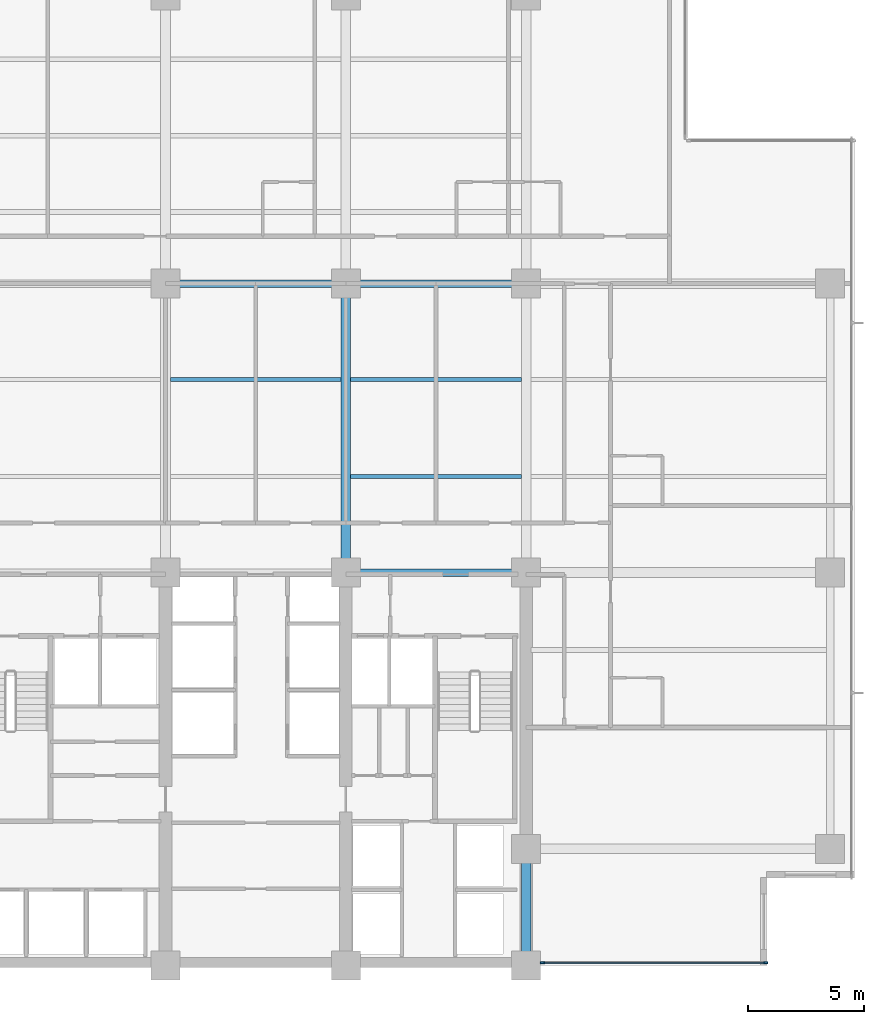
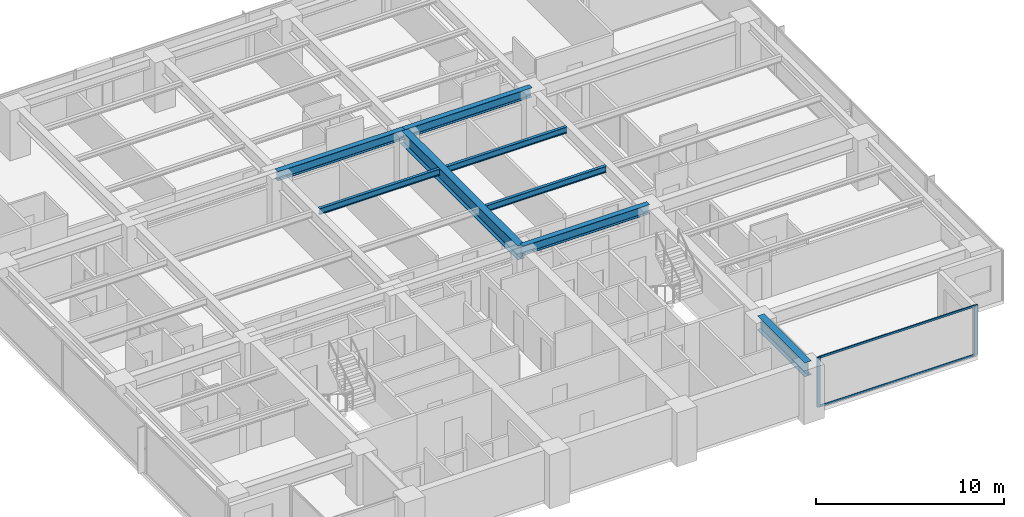
# One storey, part 3 of 17: 8 beams, 4 members, 1 element without a shape of its own.
"""IFC4 building model written with IfcOpenShell, lengths in metres."""

from ifc_helpers import new_model, si_unit, direction, frame, origin, origin_2d, place, context, subcontext, project, spatial, rectangle, i_section, extrude, material, layer, layer_set, material_profile, profile_set, type_object, element, aggregate, save


model = new_model("IFC4")

# Units and contexts
model_context = context("Model", 3, precision=1e-05, world=origin(), true_north=direction((0.0, 1.0)))
body_context = subcontext(model_context, "Body", "Model", "MODEL_VIEW")
ifc_project = project(units=[si_unit("LENGTHUNIT", "METRE"), si_unit("AREAUNIT", "SQUARE_METRE"), si_unit("VOLUMEUNIT", "CUBIC_METRE"), si_unit("PLANEANGLEUNIT", "RADIAN"), si_unit("MASSUNIT", "GRAM", prefix="KILO")], contexts=[model_context])

# Site, building, storey
site_placement = place(None, origin())
site = spatial("IfcSite", under=ifc_project, at=site_placement, CompositionType="ELEMENT")
building_placement = place(site_placement, origin())
building = spatial("IfcBuilding", under=site, at=building_placement, Name="Qalmaran Belvedere Hotel", CompositionType="ELEMENT")
storey_placement = place(building_placement, frame((0.0, 0.0, 91.699951171875)))
storey = spatial("IfcBuildingStorey", under=building, at=storey_placement, Name="L22", CompositionType="ELEMENT", Elevation=91.699951171875)

# Beams
ifc_material_1 = material(Name="Steel S355JR", Category="steel")
ifc_material_profile_1 = material_profile(ifc_material_1, i_section(OverallWidth=0.41796875, OverallDepth=0.912109375, WebThickness=0.019287109375, FlangeThickness=0.031982421875, FilletRadius=0.02392578125, at=origin_2d()), Name="W920X342")
ifc_profile_set_1 = profile_set([ifc_material_profile_1], Name="Steel S355JR")
beam_type_1 = type_object("IfcBeamType", Name="BM-PG2-W920X342", PredefinedType="USERDEFINED", material=ifc_profile_set_1)
beam_1_placement = place(storey_placement, frame((37.0, 20.5, 2.783935546875), z_axis=(0.0, 1.0, 0.0), x_axis=(-1.0, 0.0, 0.0)))
element("IfcBeam", 1, at=beam_1_placement, inside=storey, type_object=beam_type_1, Name="L22 Mid-Plate N-S Girder 18", ObjectType="GIRDER", PredefinedType="USERDEFINED", context=body_context, shape_type="SweptSolid", body=[
    extrude(i_section(OverallWidth=0.41796875, OverallDepth=0.912109375, WebThickness=0.019287109375, FlangeThickness=0.031982421875, FilletRadius=0.02392578125, at=origin_2d()), origin(), (0.0, 0.0, 1.0), 12.5),
])
beam_2_placement = place(storey_placement, frame((44.800048828125, 3.5, 2.783935546875), z_axis=(0.0, 1.0, 0.0), x_axis=(-1.0, 0.0, 0.0)))
element("IfcBeam", 2, at=beam_2_placement, inside=storey, type_object=beam_type_1, Name="L22 East Core Edge Girder A", ObjectType="GIRDER", PredefinedType="USERDEFINED", context=body_context, shape_type="SweptSolid", body=[
    extrude(i_section(OverallWidth=0.41796875, OverallDepth=0.912109375, WebThickness=0.019287109375, FlangeThickness=0.031982421875, FilletRadius=0.02392578125, at=origin_2d()), origin(), (0.0, 0.0, 1.0), 5.050048828125),
])
ifc_material_profile_2 = material_profile(ifc_material_1, i_section(OverallWidth=0.177978515625, OverallDepth=0.406982421875, WebThickness=0.0078125, FlangeThickness=0.0126953125, FilletRadius=0.014892578125, at=origin_2d()), Name="W410X60")
ifc_profile_set_2 = profile_set([ifc_material_profile_2], Name="Steel S355JR")
beam_type_2 = type_object("IfcBeamType", Name="BM-SB2-W410X60", PredefinedType="BEAM", material=ifc_profile_set_2)
for number, where, z_axis, x_axis, name in (
    (3, (37.20703125, 24.64990234375, 3.03662109375), (1.0, 0.0, 0.0), (0.0, 1.0, 0.0), "L22 Secondary Floor Beam 031"),
    (4, (29.406982421875, 28.85009765625, 3.03662109375), (1.0, 0.0, 0.0), (0.0, 1.0, 0.0), "L22 Secondary Floor Beam 035"),
    (5, (37.20703125, 28.85009765625, 3.03662109375), (1.0, 0.0, 0.0), (0.0, 1.0, 0.0), "L22 Secondary Floor Beam 036"),
):
    element("IfcBeam", number, at=place(storey_placement, frame(where, z_axis=z_axis, x_axis=x_axis)), inside=storey, type_object=beam_type_2, Name=name, PredefinedType="BEAM", context=body_context, shape_type="SweptSolid", body=[
        extrude(i_section(OverallWidth=0.177978515625, OverallDepth=0.406982421875, WebThickness=0.0078125, FlangeThickness=0.0126953125, FilletRadius=0.014892578125, at=origin_2d()), origin(), (0.0, 0.0, 1.0), 7.385986328125),
    ])
ifc_material_profile_3 = material_profile(ifc_material_1, i_section(OverallWidth=0.323974609375, OverallDepth=0.611083984375, WebThickness=0.0126953125, FlangeThickness=0.01904296875, FilletRadius=0.02001953125, at=origin_2d()), Name="W610X155")
ifc_profile_set_3 = profile_set([ifc_material_profile_3], Name="Steel S355JR")
beam_type_3 = type_object("IfcBeamType", Name="BM-Z2-W610X155", PredefinedType="USERDEFINED", material=ifc_profile_set_3)
for number, where, z_axis, x_axis, name in (
    (6, (37.0, 20.5, 2.9345703125), (1.0, 0.0, 0.0), (0.0, 1.0, 0.0), "L22 Interior E-W Girder 10"),
    (7, (29.199951171875, 33.0, 2.9345703125), (1.0, 0.0, 0.0), (0.0, 1.0, 0.0), "L22 Interior E-W Girder 12"),
    (8, (37.0, 33.0, 2.9345703125), (1.0, 0.0, 0.0), (0.0, 1.0, 0.0), "L22 Interior E-W Girder 13"),
):
    element("IfcBeam", number, at=place(storey_placement, frame(where, z_axis=z_axis, x_axis=x_axis)), inside=storey, type_object=beam_type_3, Name=name, ObjectType="GIRDER", PredefinedType="USERDEFINED", context=body_context, shape_type="SweptSolid", body=[
        extrude(i_section(OverallWidth=0.323974609375, OverallDepth=0.611083984375, WebThickness=0.0126953125, FlangeThickness=0.01904296875, FilletRadius=0.02001953125, at=origin_2d()), origin(), (0.0, 0.0, 1.0), 7.800048828125),
    ])

# Curtain wall, members
ifc_material_2 = material(Name="Anodised Bronze Aluminium", Category="aluminium")
ifc_layer = layer(ifc_material_2, 0.199951171875, Name="Anodised Bronze Aluminium")
ifc_layer_set = layer_set([ifc_layer], Name="Anodised Bronze Aluminium")
curtain_wall_type = type_object("IfcCurtainWallType", Name="CW3-TOWER-LOWMID", PredefinedType="NOTDEFINED", material=ifc_layer_set)
curtain_wall_placement = place(storey_placement, origin())
curtain_wall = element("IfcCurtainWall", 9, at=curtain_wall_placement, inside=storey, type_object=curtain_wall_type, Name="L22 Curtain Wall CW3", PredefinedType="NOTDEFINED")
ifc_material_profile_4 = material_profile(ifc_material_2, rectangle(XDim=0.070068359375, YDim=0.18994140625, at=origin_2d()), Name="CWM70X190")
ifc_profile_set_4 = profile_set([ifc_material_profile_4], Name="Anodised Bronze Aluminium")
member_type_1 = type_object("IfcMemberType", Name="CWM-70X190", PredefinedType="MULLION", material=ifc_profile_set_4)
member_1_placement = place(storey_placement, frame((45.5, 3.6201171875, 0.0), z_axis=(0.0, 0.0, 1.0), x_axis=(0.0, 1.0, 0.0)))
member_1 = element("IfcMember", 10, at=member_1_placement, type_object=member_type_1, Name="CW3 mullion 1", PredefinedType="MULLION", context=body_context, shape_type="SweptSolid", body=[
    extrude(rectangle(XDim=0.070068359375, YDim=0.18994140625, at=origin_2d()), origin(), (0.0, 0.0, 1.0), 3.239990234375),
])
member_2_placement = place(storey_placement, frame((55.1650390625, 3.6201171875, 0.0), z_axis=(0.0, 0.0, 1.0), x_axis=(0.0, 1.0, 0.0)))
member_2 = element("IfcMember", 11, at=member_2_placement, type_object=member_type_1, Name="CW3 mullion 2", PredefinedType="MULLION", context=body_context, shape_type="SweptSolid", body=[
    extrude(rectangle(XDim=0.070068359375, YDim=0.18994140625, at=origin_2d()), origin(), (0.0, 0.0, 1.0), 3.239990234375),
])
ifc_material_profile_5 = material_profile(ifc_material_2, rectangle(XDim=0.06494140625, YDim=0.1298828125, at=origin_2d()), Name="CWT65X130")
ifc_profile_set_5 = profile_set([ifc_material_profile_5], Name="Anodised Bronze Aluminium")
member_type_2 = type_object("IfcMemberType", Name="CWT-65X130", PredefinedType="USERDEFINED", material=ifc_profile_set_5)
member_3_placement = place(storey_placement, frame((45.534912109375, 3.6201171875, 0.032470703125), z_axis=(1.0, 0.0, 0.0), x_axis=(0.0, 1.0, 0.0)))
member_3 = element("IfcMember", 12, at=member_3_placement, type_object=member_type_2, Name="CW3 transom 1.1", ObjectType="TRANSOM", PredefinedType="USERDEFINED", context=body_context, shape_type="SweptSolid", body=[
    extrude(rectangle(XDim=0.06494140625, YDim=0.1298828125, at=origin_2d()), origin(), (0.0, 0.0, 1.0), 9.594970703125),
])
member_4_placement = place(storey_placement, frame((45.534912109375, 3.6201171875, 3.20751953125), z_axis=(1.0, 0.0, 0.0), x_axis=(0.0, 1.0, 0.0)))
member_4 = element("IfcMember", 13, at=member_4_placement, type_object=member_type_2, Name="CW3 transom 1.2", ObjectType="TRANSOM", PredefinedType="USERDEFINED", context=body_context, shape_type="SweptSolid", body=[
    extrude(rectangle(XDim=0.06494140625, YDim=0.1298828125, at=origin_2d()), origin(), (0.0, 0.0, 1.0), 9.594970703125),
])
aggregate(curtain_wall, [member_1, member_2, member_3, member_4])

save(model, "model.ifc")
